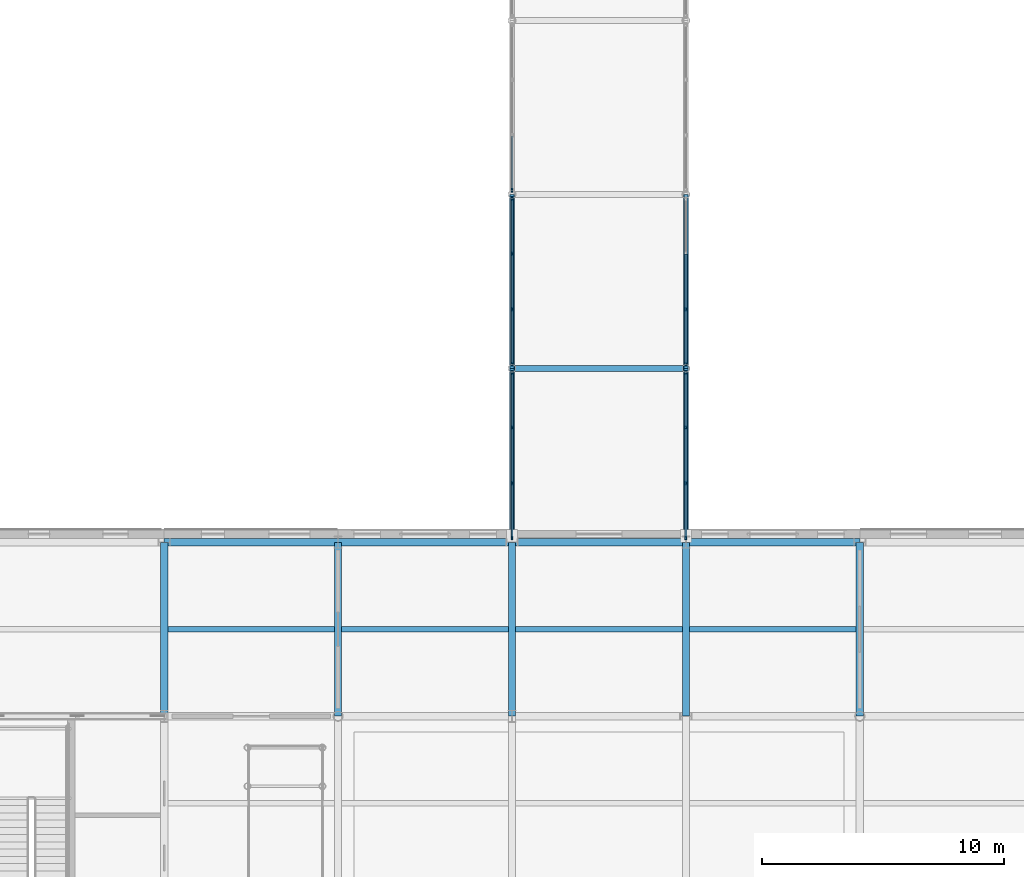
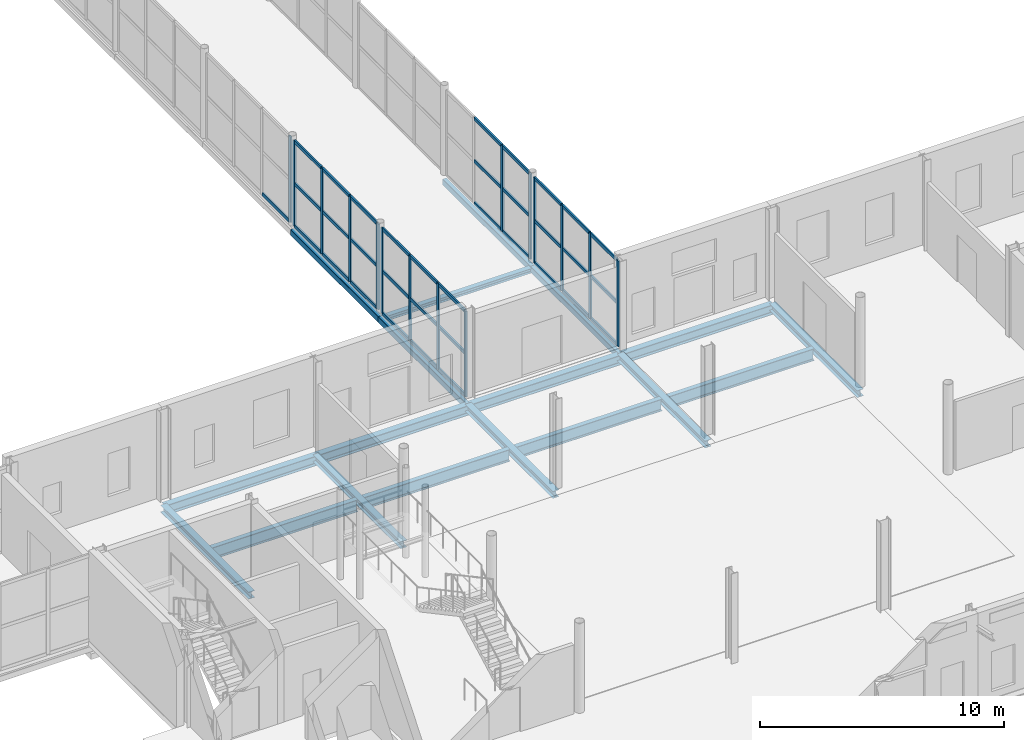
# One storey, part 28 of 92: 49 members, 18 beams, 5 elements without a shape of their own.
"""IFC4 building model written with IfcOpenShell, lengths in metres."""

from ifc_helpers import new_model, si_unit, direction, frame, origin, origin_2d, place, context, subcontext, project, spatial, rectangle, hollow_rectangle, i_section, extrude, material, material_profile, profile_set, type_object, element, aggregate, save


model = new_model("IFC4")

# Units and contexts
model_context = context("Model", 3, precision=1e-05, world=origin(), true_north=direction((0.0, 1.0)))
body_context = subcontext(model_context, "Body", "Model", "MODEL_VIEW")
ifc_project = project(units=[si_unit("LENGTHUNIT", "METRE"), si_unit("AREAUNIT", "SQUARE_METRE"), si_unit("VOLUMEUNIT", "CUBIC_METRE"), si_unit("PLANEANGLEUNIT", "RADIAN"), si_unit("MASSUNIT", "GRAM", prefix="KILO")], contexts=[model_context])

# Site, building, storey
site_placement = place(None, origin())
site = spatial("IfcSite", under=ifc_project, at=site_placement, CompositionType="ELEMENT")
building_placement = place(site_placement, origin())
building = spatial("IfcBuilding", under=site, at=building_placement, Name="Zlatovets Crest Museum", CompositionType="ELEMENT")
storey_placement = place(building_placement, origin())
storey = spatial("IfcBuildingStorey", under=building, at=storey_placement, Name="L00", CompositionType="ELEMENT", Elevation=0.0)

# Beams
ifc_material_1 = material(Name="Structural steel S355J2", Category="steel")
ifc_material_profile_1 = material_profile(ifc_material_1, i_section(OverallWidth=0.300048828125, OverallDepth=0.489990234375, WebThickness=0.011962890625, FlangeThickness=0.02294921875, FilletRadius=0.027099609375, at=origin_2d()), Name="HEA 500")
ifc_profile_set_1 = profile_set([ifc_material_profile_1], Name="Structural steel S355J2")
beam_type_1 = type_object("IfcBeamType", Name="Beam_B-01", PredefinedType="BEAM", material=ifc_profile_set_1)
for number, where, z_axis, x_axis, name in (
    (1, (64.800048828125, 28.800048828125, -0.4951171875), (1.0, 0.0, 0.0), (0.0, 1.0, 0.0), "V2 L00 Primary Girder B-01"),
    (2, (72.0, 28.800048828125, -0.4951171875), (1.0, 0.0, 0.0), (0.0, 1.0, 0.0), "V2 L00 Primary Girder B-01"),
    (3, (79.199951171875, 28.800048828125, -0.4951171875), (1.0, 0.0, 0.0), (0.0, 1.0, 0.0), "V2 L00 Primary Girder B-01"),
):
    element("IfcBeam", number, at=place(storey_placement, frame(where, z_axis=z_axis, x_axis=x_axis)), inside=storey, type_object=beam_type_1, Name=name, PredefinedType="BEAM", context=body_context, shape_type="SweptSolid", body=[
        extrude(i_section(OverallWidth=0.300048828125, OverallDepth=0.489990234375, WebThickness=0.011962890625, FlangeThickness=0.02294921875, FilletRadius=0.027099609375, at=origin_2d()), origin(), (0.0, 0.0, 1.0), 7.199951171875),
    ])
beam_1_placement = place(storey_placement, frame((86.39990234375, 28.800048828125, -0.4951171875), z_axis=(1.0, 0.0, 0.0), x_axis=(0.0, 1.0, 0.0)))
element("IfcBeam", 4, at=beam_1_placement, inside=storey, type_object=beam_type_1, Name="V2 L00 Primary Girder B-01", PredefinedType="BEAM", context=body_context, shape_type="SweptSolid", body=[
    extrude(i_section(OverallWidth=0.300048828125, OverallDepth=0.489990234375, WebThickness=0.011962890625, FlangeThickness=0.02294921875, FilletRadius=0.027099609375, at=origin_2d()), origin(), (0.0, 0.0, 1.0), 7.2001953125),
])
ifc_material_profile_2 = material_profile(ifc_material_1, i_section(OverallWidth=0.300048828125, OverallDepth=0.35009765625, WebThickness=0.010009765625, FlangeThickness=0.017578125, FilletRadius=0.027099609375, at=origin_2d()), Name="HEA 360")
ifc_profile_set_2 = profile_set([ifc_material_profile_2], Name="Structural steel S355J2")
beam_type_2 = type_object("IfcBeamType", Name="Beam_B-03", PredefinedType="BEAM", material=ifc_profile_set_2)
for number, where, z_axis, x_axis, name in (
    (5, (64.800048828125, 21.60009765625, -0.425048828125), (0.0, 1.0, 0.0), (-1.0, 0.0, 0.0), "V2 L00 Grid Beam B-03"),
    (6, (72.0, 21.60009765625, -0.425048828125), (0.0, 1.0, 0.0), (-1.0, 0.0, 0.0), "V2 L00 Grid Beam B-03"),
    (7, (79.199951171875, 21.60009765625, -0.425048828125), (0.0, 1.0, 0.0), (-1.0, 0.0, 0.0), "V2 L00 Grid Beam B-03"),
    (8, (86.39990234375, 21.60009765625, -0.425048828125), (0.0, 1.0, 0.0), (-1.0, 0.0, 0.0), "V2 L00 Grid Beam B-03"),
    (9, (93.60009765625, 21.60009765625, -0.425048828125), (0.0, 1.0, 0.0), (-1.0, 0.0, 0.0), "V2 L00 Grid Beam B-03"),
):
    element("IfcBeam", number, at=place(storey_placement, frame(where, z_axis=z_axis, x_axis=x_axis)), inside=storey, type_object=beam_type_2, Name=name, PredefinedType="BEAM", context=body_context, shape_type="SweptSolid", body=[
        extrude(i_section(OverallWidth=0.300048828125, OverallDepth=0.35009765625, WebThickness=0.010009765625, FlangeThickness=0.017578125, FilletRadius=0.027099609375, at=origin_2d()), origin(), (0.0, 0.0, 1.0), 7.199951171875),
    ])
ifc_material_profile_3 = material_profile(ifc_material_1, i_section(OverallWidth=0.239990234375, OverallDepth=0.22998046875, WebThickness=0.007568359375, FlangeThickness=0.011962890625, FilletRadius=0.02099609375, at=origin_2d()), Name="HEA 240")
ifc_profile_set_3 = profile_set([ifc_material_profile_3], Name="Structural steel S355J2")
beam_type_3 = type_object("IfcBeamType", Name="Beam_B-06", PredefinedType="BEAM", material=ifc_profile_set_3)
beam_2_placement = place(storey_placement, frame((79.199951171875, 36.0, -0.39990234375), z_axis=(1.0, 0.0, 0.0), x_axis=(0.0, 1.0, 0.0)))
element("IfcBeam", 10, at=beam_2_placement, inside=storey, type_object=beam_type_3, Name="Central Sculpture Court Cloister and Skywalk L00 Cross Beam", PredefinedType="BEAM", context=body_context, shape_type="SweptSolid", body=[
    extrude(i_section(OverallWidth=0.239990234375, OverallDepth=0.22998046875, WebThickness=0.007568359375, FlangeThickness=0.011962890625, FilletRadius=0.02099609375, at=origin_2d()), origin(), (0.0, 0.0, 1.0), 7.199951171875),
])
ifc_material_profile_4 = material_profile(ifc_material_1, hollow_rectangle(XDim=0.199951171875, YDim=0.300048828125, WallThickness=0.012451171875, InnerFilletRadius=0.012451171875, OuterFilletRadius=0.02490234375, at=origin_2d()), Name="RHS 200x300x12.5")
ifc_profile_set_4 = profile_set([ifc_material_profile_4], Name="Structural steel S355J2")
beam_type_4 = type_object("IfcBeamType", Name="Beam_BRG-01", PredefinedType="BEAM", material=ifc_profile_set_4)
for number, where, z_axis, x_axis, name in (
    (11, (79.199951171875, 28.800048828125, -0.39990234375), (0.0, 1.0, 0.0), (-1.0, 0.0, 0.0), "Central Sculpture Court Cloister and Skywalk L00 Stringer Beam"),
    (12, (79.199951171875, 36.0, -0.39990234375), (0.0, 1.0, 0.0), (-1.0, 0.0, 0.0), "Central Sculpture Court Cloister and Skywalk L00 Stringer Beam"),
    (13, (86.39990234375, 28.800048828125, -0.39990234375), (0.0, 1.0, 0.0), (-1.0, 0.0, 0.0), "Central Sculpture Court Cloister and Skywalk L00 Stringer Beam"),
    (14, (86.39990234375, 36.0, -0.39990234375), (0.0, 1.0, 0.0), (-1.0, 0.0, 0.0), "Central Sculpture Court Cloister and Skywalk L00 Stringer Beam"),
):
    element("IfcBeam", number, at=place(storey_placement, frame(where, z_axis=z_axis, x_axis=x_axis)), inside=storey, type_object=beam_type_4, Name=name, PredefinedType="BEAM", context=body_context, shape_type="SweptSolid", body=[
        extrude(hollow_rectangle(XDim=0.199951171875, YDim=0.300048828125, WallThickness=0.012451171875, InnerFilletRadius=0.012451171875, OuterFilletRadius=0.02490234375, at=origin_2d()), origin(), (0.0, 0.0, 1.0), 7.199951171875),
    ])
ifc_material_profile_5 = material_profile(ifc_material_1, i_section(OverallWidth=0.219970703125, OverallDepth=0.60009765625, WebThickness=0.011962890625, FlangeThickness=0.01904296875, FilletRadius=0.02392578125, at=origin_2d()), Name="IPE 600")
ifc_profile_set_5 = profile_set([ifc_material_profile_5], Name="Structural steel S355J2")
beam_type_5 = type_object("IfcBeamType", Name="Beam_J-08", PredefinedType="BEAM", material=ifc_profile_set_5)
for number, where, z_axis, x_axis, name in (
    (15, (64.949951171875, 25.199951171875, -0.550048828125), (1.0, 0.0, 0.0), (0.0, 1.0, 0.0), "V2 L00 Composite Joist J-08"),
    (16, (72.14990234375, 25.199951171875, -0.550048828125), (1.0, 0.0, 0.0), (0.0, 1.0, 0.0), "V2 L00 Composite Joist J-08"),
):
    element("IfcBeam", number, at=place(storey_placement, frame(where, z_axis=z_axis, x_axis=x_axis)), inside=storey, type_object=beam_type_5, Name=name, PredefinedType="BEAM", context=body_context, shape_type="SweptSolid", body=[
        extrude(i_section(OverallWidth=0.219970703125, OverallDepth=0.60009765625, WebThickness=0.011962890625, FlangeThickness=0.01904296875, FilletRadius=0.02392578125, at=origin_2d()), origin(), (0.0, 0.0, 1.0), 6.900146484375),
    ])
for number, where, z_axis, x_axis, name in (
    (17, (79.35009765625, 25.199951171875, -0.550048828125), (1.0, 0.0, 0.0), (0.0, 1.0, 0.0), "V2 L00 Composite Joist J-08"),
    (18, (86.550048828125, 25.199951171875, -0.550048828125), (1.0, 0.0, 0.0), (0.0, 1.0, 0.0), "V2 L00 Composite Joist J-08"),
):
    element("IfcBeam", number, at=place(storey_placement, frame(where, z_axis=z_axis, x_axis=x_axis)), inside=storey, type_object=beam_type_5, Name=name, PredefinedType="BEAM", context=body_context, shape_type="SweptSolid", body=[
        extrude(i_section(OverallWidth=0.219970703125, OverallDepth=0.60009765625, WebThickness=0.011962890625, FlangeThickness=0.01904296875, FilletRadius=0.02392578125, at=origin_2d()), origin(), (0.0, 0.0, 1.0), 6.89990234375),
    ])

# Curtain wall, members
ifc_material_2 = material(Name="Bronze-anodised aluminium and low-E triple glass", Category="aluminium")
curtain_wall_type = type_object("IfcCurtainWallType", Name="CW_CW-BR5-L00-S69", PredefinedType="NOTDEFINED", material=ifc_material_2)
curtain_wall_1_placement = place(storey_placement, origin())
curtain_wall_1 = element("IfcCurtainWall", 19, at=curtain_wall_1_placement, inside=storey, type_object=curtain_wall_type, Name="Central Sculpture Court Cloister and Skywalk L00 Glazed Bridge Curtain Wall", PredefinedType="NOTDEFINED")
ifc_material_3 = material(Name="Bronze-anodised aluminium EN AW-6060", Category="aluminium")
ifc_material_profile_6 = material_profile(ifc_material_3, rectangle(XDim=0.080078125, YDim=0.159912109375, at=origin_2d()), Name="ALU 80x160")
ifc_profile_set_6 = profile_set([ifc_material_profile_6], Name="Bronze-anodised aluminium EN AW-6060")
member_type_1 = type_object("IfcMemberType", Name="CWMull_M1", PredefinedType="MULLION", material=ifc_profile_set_6)
member_1_placement = place(storey_placement, frame((79.199951171875, 28.97998046875, 0.0), z_axis=(0.0, 0.0, 1.0), x_axis=(-1.0, 0.0, 0.0)))
member_1 = element("IfcMember", 20, at=member_1_placement, type_object=member_type_1, Name="CW-BR5-L00-S69 mullion 1", PredefinedType="MULLION", context=body_context, shape_type="SweptSolid", body=[
    extrude(rectangle(XDim=0.080078125, YDim=0.159912109375, at=origin_2d()), origin(), (0.0, 0.0, 1.0), 4.280029296875),
])
member_2_placement = place(storey_placement, frame((79.199951171875, 31.25, 0.0), z_axis=(0.0, 0.0, 1.0), x_axis=(-1.0, 0.0, 0.0)))
member_2 = element("IfcMember", 21, at=member_2_placement, type_object=member_type_1, Name="CW-BR5-L00-S69 mullion 2", PredefinedType="MULLION", context=body_context, shape_type="SweptSolid", body=[
    extrude(rectangle(XDim=0.080078125, YDim=0.159912109375, at=origin_2d()), origin(), (0.0, 0.0, 1.0), 4.280029296875),
])
member_3_placement = place(storey_placement, frame((79.199951171875, 33.550048828125, 0.0), z_axis=(0.0, 0.0, 1.0), x_axis=(-1.0, 0.0, 0.0)))
member_3 = element("IfcMember", 22, at=member_3_placement, type_object=member_type_1, Name="CW-BR5-L00-S69 mullion 3", PredefinedType="MULLION", context=body_context, shape_type="SweptSolid", body=[
    extrude(rectangle(XDim=0.080078125, YDim=0.159912109375, at=origin_2d()), origin(), (0.0, 0.0, 1.0), 4.280029296875),
])
member_4_placement = place(storey_placement, frame((79.199951171875, 35.820068359375, 0.0), z_axis=(0.0, 0.0, 1.0), x_axis=(-1.0, 0.0, 0.0)))
member_4 = element("IfcMember", 23, at=member_4_placement, type_object=member_type_1, Name="CW-BR5-L00-S69 mullion 4", PredefinedType="MULLION", context=body_context, shape_type="SweptSolid", body=[
    extrude(rectangle(XDim=0.080078125, YDim=0.159912109375, at=origin_2d()), origin(), (0.0, 0.0, 1.0), 4.280029296875),
])

curtain_wall_2_placement = place(storey_placement, origin())
curtain_wall_2 = element("IfcCurtainWall", 24, at=curtain_wall_2_placement, inside=storey, type_object=curtain_wall_type, Name="Central Sculpture Court Cloister and Skywalk L00 Glazed Bridge Curtain Wall", PredefinedType="NOTDEFINED")
member_5_placement = place(storey_placement, frame((79.199951171875, 36.179931640625, 0.0), z_axis=(0.0, 0.0, 1.0), x_axis=(-1.0, 0.0, 0.0)))
member_5 = element("IfcMember", 25, at=member_5_placement, type_object=member_type_1, Name="CW-BR5-L00-S69 mullion 1", PredefinedType="MULLION", context=body_context, shape_type="SweptSolid", body=[
    extrude(rectangle(XDim=0.080078125, YDim=0.159912109375, at=origin_2d()), origin(), (0.0, 0.0, 1.0), 4.280029296875),
])
member_6_placement = place(storey_placement, frame((79.199951171875, 38.449951171875, 0.0), z_axis=(0.0, 0.0, 1.0), x_axis=(-1.0, 0.0, 0.0)))
member_6 = element("IfcMember", 26, at=member_6_placement, type_object=member_type_1, Name="CW-BR5-L00-S69 mullion 2", PredefinedType="MULLION", context=body_context, shape_type="SweptSolid", body=[
    extrude(rectangle(XDim=0.080078125, YDim=0.159912109375, at=origin_2d()), origin(), (0.0, 0.0, 1.0), 4.280029296875),
])
member_7_placement = place(storey_placement, frame((79.199951171875, 40.75, 0.0), z_axis=(0.0, 0.0, 1.0), x_axis=(-1.0, 0.0, 0.0)))
member_7 = element("IfcMember", 27, at=member_7_placement, type_object=member_type_1, Name="CW-BR5-L00-S69 mullion 3", PredefinedType="MULLION", context=body_context, shape_type="SweptSolid", body=[
    extrude(rectangle(XDim=0.080078125, YDim=0.159912109375, at=origin_2d()), origin(), (0.0, 0.0, 1.0), 4.280029296875),
])
member_8_placement = place(storey_placement, frame((79.199951171875, 43.02001953125, 0.0), z_axis=(0.0, 0.0, 1.0), x_axis=(-1.0, 0.0, 0.0)))
member_8 = element("IfcMember", 28, at=member_8_placement, type_object=member_type_1, Name="CW-BR5-L00-S69 mullion 4", PredefinedType="MULLION", context=body_context, shape_type="SweptSolid", body=[
    extrude(rectangle(XDim=0.080078125, YDim=0.159912109375, at=origin_2d()), origin(), (0.0, 0.0, 1.0), 4.280029296875),
])

# Curtain wall, member
curtain_wall_3_placement = place(storey_placement, origin())
curtain_wall_3 = element("IfcCurtainWall", 29, at=curtain_wall_3_placement, inside=storey, type_object=curtain_wall_type, Name="Central Sculpture Court Cloister and Skywalk L00 Glazed Bridge Curtain Wall", PredefinedType="NOTDEFINED")
member_9_placement = place(storey_placement, frame((79.199951171875, 43.3798828125, 0.0), z_axis=(0.0, 0.0, 1.0), x_axis=(-1.0, 0.0, 0.0)))
member_9 = element("IfcMember", 30, at=member_9_placement, type_object=member_type_1, Name="CW-BR5-L00-S69 mullion 1", PredefinedType="MULLION", context=body_context, shape_type="SweptSolid", body=[
    extrude(rectangle(XDim=0.080078125, YDim=0.159912109375, at=origin_2d()), origin(), (0.0, 0.0, 1.0), 4.280029296875),
])

# Curtain wall, members
curtain_wall_4_placement = place(storey_placement, origin())
curtain_wall_4 = element("IfcCurtainWall", 31, at=curtain_wall_4_placement, inside=storey, type_object=curtain_wall_type, Name="Central Sculpture Court Cloister and Skywalk L00 Glazed Bridge Curtain Wall", PredefinedType="NOTDEFINED")
member_10_placement = place(storey_placement, frame((86.39990234375, 28.97998046875, 0.0), z_axis=(0.0, 0.0, 1.0), x_axis=(-1.0, 0.0, 0.0)))
member_10 = element("IfcMember", 32, at=member_10_placement, type_object=member_type_1, Name="CW-BR5-L00-S69 mullion 1", PredefinedType="MULLION", context=body_context, shape_type="SweptSolid", body=[
    extrude(rectangle(XDim=0.080078125, YDim=0.159912109375, at=origin_2d()), origin(), (0.0, 0.0, 1.0), 4.280029296875),
])
member_11_placement = place(storey_placement, frame((86.39990234375, 31.25, 0.0), z_axis=(0.0, 0.0, 1.0), x_axis=(-1.0, 0.0, 0.0)))
member_11 = element("IfcMember", 33, at=member_11_placement, type_object=member_type_1, Name="CW-BR5-L00-S69 mullion 2", PredefinedType="MULLION", context=body_context, shape_type="SweptSolid", body=[
    extrude(rectangle(XDim=0.080078125, YDim=0.159912109375, at=origin_2d()), origin(), (0.0, 0.0, 1.0), 4.280029296875),
])
member_12_placement = place(storey_placement, frame((86.39990234375, 33.550048828125, 0.0), z_axis=(0.0, 0.0, 1.0), x_axis=(-1.0, 0.0, 0.0)))
member_12 = element("IfcMember", 34, at=member_12_placement, type_object=member_type_1, Name="CW-BR5-L00-S69 mullion 3", PredefinedType="MULLION", context=body_context, shape_type="SweptSolid", body=[
    extrude(rectangle(XDim=0.080078125, YDim=0.159912109375, at=origin_2d()), origin(), (0.0, 0.0, 1.0), 4.280029296875),
])
member_13_placement = place(storey_placement, frame((86.39990234375, 35.820068359375, 0.0), z_axis=(0.0, 0.0, 1.0), x_axis=(-1.0, 0.0, 0.0)))
member_13 = element("IfcMember", 35, at=member_13_placement, type_object=member_type_1, Name="CW-BR5-L00-S69 mullion 4", PredefinedType="MULLION", context=body_context, shape_type="SweptSolid", body=[
    extrude(rectangle(XDim=0.080078125, YDim=0.159912109375, at=origin_2d()), origin(), (0.0, 0.0, 1.0), 4.280029296875),
])

curtain_wall_5_placement = place(storey_placement, origin())
curtain_wall_5 = element("IfcCurtainWall", 36, at=curtain_wall_5_placement, inside=storey, type_object=curtain_wall_type, Name="Central Sculpture Court Cloister and Skywalk L00 Glazed Bridge Curtain Wall", PredefinedType="NOTDEFINED")
member_14_placement = place(storey_placement, frame((86.39990234375, 36.179931640625, 0.0), z_axis=(0.0, 0.0, 1.0), x_axis=(-1.0, 0.0, 0.0)))
member_14 = element("IfcMember", 37, at=member_14_placement, type_object=member_type_1, Name="CW-BR5-L00-S69 mullion 1", PredefinedType="MULLION", context=body_context, shape_type="SweptSolid", body=[
    extrude(rectangle(XDim=0.080078125, YDim=0.159912109375, at=origin_2d()), origin(), (0.0, 0.0, 1.0), 4.280029296875),
])
member_15_placement = place(storey_placement, frame((86.39990234375, 38.449951171875, 0.0), z_axis=(0.0, 0.0, 1.0), x_axis=(-1.0, 0.0, 0.0)))
member_15 = element("IfcMember", 38, at=member_15_placement, type_object=member_type_1, Name="CW-BR5-L00-S69 mullion 2", PredefinedType="MULLION", context=body_context, shape_type="SweptSolid", body=[
    extrude(rectangle(XDim=0.080078125, YDim=0.159912109375, at=origin_2d()), origin(), (0.0, 0.0, 1.0), 4.280029296875),
])

# Member
ifc_material_profile_7 = material_profile(ifc_material_3, rectangle(XDim=0.080078125, YDim=0.159912109375, at=origin_2d()), Name="ALU 80x160")
ifc_profile_set_7 = profile_set([ifc_material_profile_7], Name="Bronze-anodised aluminium EN AW-6060")
member_type_2 = type_object("IfcMemberType", Name="CWTrans_T1", PredefinedType="USERDEFINED", material=ifc_profile_set_7)
member_16_placement = place(storey_placement, frame((79.199951171875, 29.010009765625, 0.030029296875), z_axis=(0.0, 1.0, 0.0), x_axis=(-1.0, 0.0, 0.0)))
member_16 = element("IfcMember", 39, at=member_16_placement, type_object=member_type_2, Name="CW-BR5-L00-S69 transom 1.1", ObjectType="TRANSOM", PredefinedType="USERDEFINED", context=body_context, shape_type="SweptSolid", body=[
    extrude(rectangle(XDim=0.080078125, YDim=0.159912109375, at=origin_2d()), origin(), (0.0, 0.0, 1.0), 2.2099609375),
])

member_17_placement = place(storey_placement, frame((79.199951171875, 29.010009765625, 2.139892578125), z_axis=(0.0, 1.0, 0.0), x_axis=(-1.0, 0.0, 0.0)))
member_17 = element("IfcMember", 40, at=member_17_placement, type_object=member_type_2, Name="CW-BR5-L00-S69 transom 1.2", ObjectType="TRANSOM", PredefinedType="USERDEFINED", context=body_context, shape_type="SweptSolid", body=[
    extrude(rectangle(XDim=0.080078125, YDim=0.159912109375, at=origin_2d()), origin(), (0.0, 0.0, 1.0), 2.2099609375),
])

member_18_placement = place(storey_placement, frame((79.199951171875, 29.010009765625, 4.25), z_axis=(0.0, 1.0, 0.0), x_axis=(-1.0, 0.0, 0.0)))
member_18 = element("IfcMember", 41, at=member_18_placement, type_object=member_type_2, Name="CW-BR5-L00-S69 transom 1.3", ObjectType="TRANSOM", PredefinedType="USERDEFINED", context=body_context, shape_type="SweptSolid", body=[
    extrude(rectangle(XDim=0.080078125, YDim=0.159912109375, at=origin_2d()), origin(), (0.0, 0.0, 1.0), 2.2099609375),
])

member_19_placement = place(storey_placement, frame((79.199951171875, 31.280029296875, 0.030029296875), z_axis=(0.0, 1.0, 0.0), x_axis=(-1.0, 0.0, 0.0)))
member_19 = element("IfcMember", 42, at=member_19_placement, type_object=member_type_2, Name="CW-BR5-L00-S69 transom 2.1", ObjectType="TRANSOM", PredefinedType="USERDEFINED", context=body_context, shape_type="SweptSolid", body=[
    extrude(rectangle(XDim=0.080078125, YDim=0.159912109375, at=origin_2d()), origin(), (0.0, 0.0, 1.0), 2.239990234375),
])

member_20_placement = place(storey_placement, frame((79.199951171875, 31.280029296875, 2.139892578125), z_axis=(0.0, 1.0, 0.0), x_axis=(-1.0, 0.0, 0.0)))
member_20 = element("IfcMember", 43, at=member_20_placement, type_object=member_type_2, Name="CW-BR5-L00-S69 transom 2.2", ObjectType="TRANSOM", PredefinedType="USERDEFINED", context=body_context, shape_type="SweptSolid", body=[
    extrude(rectangle(XDim=0.080078125, YDim=0.159912109375, at=origin_2d()), origin(), (0.0, 0.0, 1.0), 2.239990234375),
])

member_21_placement = place(storey_placement, frame((79.199951171875, 31.280029296875, 4.25), z_axis=(0.0, 1.0, 0.0), x_axis=(-1.0, 0.0, 0.0)))
member_21 = element("IfcMember", 44, at=member_21_placement, type_object=member_type_2, Name="CW-BR5-L00-S69 transom 2.3", ObjectType="TRANSOM", PredefinedType="USERDEFINED", context=body_context, shape_type="SweptSolid", body=[
    extrude(rectangle(XDim=0.080078125, YDim=0.159912109375, at=origin_2d()), origin(), (0.0, 0.0, 1.0), 2.239990234375),
])

member_22_placement = place(storey_placement, frame((79.199951171875, 33.580078125, 0.030029296875), z_axis=(0.0, 1.0, 0.0), x_axis=(-1.0, 0.0, 0.0)))
member_22 = element("IfcMember", 45, at=member_22_placement, type_object=member_type_2, Name="CW-BR5-L00-S69 transom 3.1", ObjectType="TRANSOM", PredefinedType="USERDEFINED", context=body_context, shape_type="SweptSolid", body=[
    extrude(rectangle(XDim=0.080078125, YDim=0.159912109375, at=origin_2d()), origin(), (0.0, 0.0, 1.0), 2.2099609375),
])

member_23_placement = place(storey_placement, frame((79.199951171875, 33.580078125, 2.139892578125), z_axis=(0.0, 1.0, 0.0), x_axis=(-1.0, 0.0, 0.0)))
member_23 = element("IfcMember", 46, at=member_23_placement, type_object=member_type_2, Name="CW-BR5-L00-S69 transom 3.2", ObjectType="TRANSOM", PredefinedType="USERDEFINED", context=body_context, shape_type="SweptSolid", body=[
    extrude(rectangle(XDim=0.080078125, YDim=0.159912109375, at=origin_2d()), origin(), (0.0, 0.0, 1.0), 2.2099609375),
])

member_24_placement = place(storey_placement, frame((79.199951171875, 33.580078125, 4.25), z_axis=(0.0, 1.0, 0.0), x_axis=(-1.0, 0.0, 0.0)))
member_24 = element("IfcMember", 47, at=member_24_placement, type_object=member_type_2, Name="CW-BR5-L00-S69 transom 3.3", ObjectType="TRANSOM", PredefinedType="USERDEFINED", context=body_context, shape_type="SweptSolid", body=[
    extrude(rectangle(XDim=0.080078125, YDim=0.159912109375, at=origin_2d()), origin(), (0.0, 0.0, 1.0), 2.2099609375),
])

aggregate(curtain_wall_1, [member_1, member_2, member_3, member_4, member_16, member_17, member_18, member_19, member_20, member_21, member_22, member_23, member_24])

member_25_placement = place(storey_placement, frame((79.199951171875, 36.2099609375, 0.030029296875), z_axis=(0.0, 1.0, 0.0), x_axis=(-1.0, 0.0, 0.0)))
member_25 = element("IfcMember", 48, at=member_25_placement, type_object=member_type_2, Name="CW-BR5-L00-S69 transom 1.1", ObjectType="TRANSOM", PredefinedType="USERDEFINED", context=body_context, shape_type="SweptSolid", body=[
    extrude(rectangle(XDim=0.080078125, YDim=0.159912109375, at=origin_2d()), origin(), (0.0, 0.0, 1.0), 2.2099609375),
])

member_26_placement = place(storey_placement, frame((79.199951171875, 36.2099609375, 2.139892578125), z_axis=(0.0, 1.0, 0.0), x_axis=(-1.0, 0.0, 0.0)))
member_26 = element("IfcMember", 49, at=member_26_placement, type_object=member_type_2, Name="CW-BR5-L00-S69 transom 1.2", ObjectType="TRANSOM", PredefinedType="USERDEFINED", context=body_context, shape_type="SweptSolid", body=[
    extrude(rectangle(XDim=0.080078125, YDim=0.159912109375, at=origin_2d()), origin(), (0.0, 0.0, 1.0), 2.2099609375),
])

member_27_placement = place(storey_placement, frame((79.199951171875, 36.2099609375, 4.25), z_axis=(0.0, 1.0, 0.0), x_axis=(-1.0, 0.0, 0.0)))
member_27 = element("IfcMember", 50, at=member_27_placement, type_object=member_type_2, Name="CW-BR5-L00-S69 transom 1.3", ObjectType="TRANSOM", PredefinedType="USERDEFINED", context=body_context, shape_type="SweptSolid", body=[
    extrude(rectangle(XDim=0.080078125, YDim=0.159912109375, at=origin_2d()), origin(), (0.0, 0.0, 1.0), 2.2099609375),
])

member_28_placement = place(storey_placement, frame((79.199951171875, 38.47998046875, 0.030029296875), z_axis=(0.0, 1.0, 0.0), x_axis=(-1.0, 0.0, 0.0)))
member_28 = element("IfcMember", 51, at=member_28_placement, type_object=member_type_2, Name="CW-BR5-L00-S69 transom 2.1", ObjectType="TRANSOM", PredefinedType="USERDEFINED", context=body_context, shape_type="SweptSolid", body=[
    extrude(rectangle(XDim=0.080078125, YDim=0.159912109375, at=origin_2d()), origin(), (0.0, 0.0, 1.0), 2.239990234375),
])

member_29_placement = place(storey_placement, frame((79.199951171875, 38.47998046875, 2.139892578125), z_axis=(0.0, 1.0, 0.0), x_axis=(-1.0, 0.0, 0.0)))
member_29 = element("IfcMember", 52, at=member_29_placement, type_object=member_type_2, Name="CW-BR5-L00-S69 transom 2.2", ObjectType="TRANSOM", PredefinedType="USERDEFINED", context=body_context, shape_type="SweptSolid", body=[
    extrude(rectangle(XDim=0.080078125, YDim=0.159912109375, at=origin_2d()), origin(), (0.0, 0.0, 1.0), 2.239990234375),
])

member_30_placement = place(storey_placement, frame((79.199951171875, 38.47998046875, 4.25), z_axis=(0.0, 1.0, 0.0), x_axis=(-1.0, 0.0, 0.0)))
member_30 = element("IfcMember", 53, at=member_30_placement, type_object=member_type_2, Name="CW-BR5-L00-S69 transom 2.3", ObjectType="TRANSOM", PredefinedType="USERDEFINED", context=body_context, shape_type="SweptSolid", body=[
    extrude(rectangle(XDim=0.080078125, YDim=0.159912109375, at=origin_2d()), origin(), (0.0, 0.0, 1.0), 2.239990234375),
])

member_31_placement = place(storey_placement, frame((79.199951171875, 40.780029296875, 0.030029296875), z_axis=(0.0, 1.0, 0.0), x_axis=(-1.0, 0.0, 0.0)))
member_31 = element("IfcMember", 54, at=member_31_placement, type_object=member_type_2, Name="CW-BR5-L00-S69 transom 3.1", ObjectType="TRANSOM", PredefinedType="USERDEFINED", context=body_context, shape_type="SweptSolid", body=[
    extrude(rectangle(XDim=0.080078125, YDim=0.159912109375, at=origin_2d()), origin(), (0.0, 0.0, 1.0), 2.2099609375),
])

member_32_placement = place(storey_placement, frame((79.199951171875, 40.780029296875, 2.139892578125), z_axis=(0.0, 1.0, 0.0), x_axis=(-1.0, 0.0, 0.0)))
member_32 = element("IfcMember", 55, at=member_32_placement, type_object=member_type_2, Name="CW-BR5-L00-S69 transom 3.2", ObjectType="TRANSOM", PredefinedType="USERDEFINED", context=body_context, shape_type="SweptSolid", body=[
    extrude(rectangle(XDim=0.080078125, YDim=0.159912109375, at=origin_2d()), origin(), (0.0, 0.0, 1.0), 2.2099609375),
])

member_33_placement = place(storey_placement, frame((79.199951171875, 40.780029296875, 4.25), z_axis=(0.0, 1.0, 0.0), x_axis=(-1.0, 0.0, 0.0)))
member_33 = element("IfcMember", 56, at=member_33_placement, type_object=member_type_2, Name="CW-BR5-L00-S69 transom 3.3", ObjectType="TRANSOM", PredefinedType="USERDEFINED", context=body_context, shape_type="SweptSolid", body=[
    extrude(rectangle(XDim=0.080078125, YDim=0.159912109375, at=origin_2d()), origin(), (0.0, 0.0, 1.0), 2.2099609375),
])

aggregate(curtain_wall_2, [member_5, member_6, member_7, member_8, member_25, member_26, member_27, member_28, member_29, member_30, member_31, member_32, member_33])

member_34_placement = place(storey_placement, frame((79.199951171875, 43.409912109375, 0.030029296875), z_axis=(0.0, 1.0, 0.0), x_axis=(-1.0, 0.0, 0.0)))
member_34 = element("IfcMember", 57, at=member_34_placement, type_object=member_type_2, Name="CW-BR5-L00-S69 transom 1.1", ObjectType="TRANSOM", PredefinedType="USERDEFINED", context=body_context, shape_type="SweptSolid", body=[
    extrude(rectangle(XDim=0.080078125, YDim=0.159912109375, at=origin_2d()), origin(), (0.0, 0.0, 1.0), 2.210205078125),
])

aggregate(curtain_wall_3, [member_9, member_34])

member_35_placement = place(storey_placement, frame((86.39990234375, 29.010009765625, 0.030029296875), z_axis=(0.0, 1.0, 0.0), x_axis=(-1.0, 0.0, 0.0)))
member_35 = element("IfcMember", 58, at=member_35_placement, type_object=member_type_2, Name="CW-BR5-L00-S69 transom 1.1", ObjectType="TRANSOM", PredefinedType="USERDEFINED", context=body_context, shape_type="SweptSolid", body=[
    extrude(rectangle(XDim=0.080078125, YDim=0.159912109375, at=origin_2d()), origin(), (0.0, 0.0, 1.0), 2.2099609375),
])

member_36_placement = place(storey_placement, frame((86.39990234375, 29.010009765625, 2.139892578125), z_axis=(0.0, 1.0, 0.0), x_axis=(-1.0, 0.0, 0.0)))
member_36 = element("IfcMember", 59, at=member_36_placement, type_object=member_type_2, Name="CW-BR5-L00-S69 transom 1.2", ObjectType="TRANSOM", PredefinedType="USERDEFINED", context=body_context, shape_type="SweptSolid", body=[
    extrude(rectangle(XDim=0.080078125, YDim=0.159912109375, at=origin_2d()), origin(), (0.0, 0.0, 1.0), 2.2099609375),
])

member_37_placement = place(storey_placement, frame((86.39990234375, 29.010009765625, 4.25), z_axis=(0.0, 1.0, 0.0), x_axis=(-1.0, 0.0, 0.0)))
member_37 = element("IfcMember", 60, at=member_37_placement, type_object=member_type_2, Name="CW-BR5-L00-S69 transom 1.3", ObjectType="TRANSOM", PredefinedType="USERDEFINED", context=body_context, shape_type="SweptSolid", body=[
    extrude(rectangle(XDim=0.080078125, YDim=0.159912109375, at=origin_2d()), origin(), (0.0, 0.0, 1.0), 2.2099609375),
])

member_38_placement = place(storey_placement, frame((86.39990234375, 31.280029296875, 0.030029296875), z_axis=(0.0, 1.0, 0.0), x_axis=(-1.0, 0.0, 0.0)))
member_38 = element("IfcMember", 61, at=member_38_placement, type_object=member_type_2, Name="CW-BR5-L00-S69 transom 2.1", ObjectType="TRANSOM", PredefinedType="USERDEFINED", context=body_context, shape_type="SweptSolid", body=[
    extrude(rectangle(XDim=0.080078125, YDim=0.159912109375, at=origin_2d()), origin(), (0.0, 0.0, 1.0), 2.239990234375),
])

member_39_placement = place(storey_placement, frame((86.39990234375, 31.280029296875, 2.139892578125), z_axis=(0.0, 1.0, 0.0), x_axis=(-1.0, 0.0, 0.0)))
member_39 = element("IfcMember", 62, at=member_39_placement, type_object=member_type_2, Name="CW-BR5-L00-S69 transom 2.2", ObjectType="TRANSOM", PredefinedType="USERDEFINED", context=body_context, shape_type="SweptSolid", body=[
    extrude(rectangle(XDim=0.080078125, YDim=0.159912109375, at=origin_2d()), origin(), (0.0, 0.0, 1.0), 2.239990234375),
])

member_40_placement = place(storey_placement, frame((86.39990234375, 31.280029296875, 4.25), z_axis=(0.0, 1.0, 0.0), x_axis=(-1.0, 0.0, 0.0)))
member_40 = element("IfcMember", 63, at=member_40_placement, type_object=member_type_2, Name="CW-BR5-L00-S69 transom 2.3", ObjectType="TRANSOM", PredefinedType="USERDEFINED", context=body_context, shape_type="SweptSolid", body=[
    extrude(rectangle(XDim=0.080078125, YDim=0.159912109375, at=origin_2d()), origin(), (0.0, 0.0, 1.0), 2.239990234375),
])

member_41_placement = place(storey_placement, frame((86.39990234375, 33.580078125, 0.030029296875), z_axis=(0.0, 1.0, 0.0), x_axis=(-1.0, 0.0, 0.0)))
member_41 = element("IfcMember", 64, at=member_41_placement, type_object=member_type_2, Name="CW-BR5-L00-S69 transom 3.1", ObjectType="TRANSOM", PredefinedType="USERDEFINED", context=body_context, shape_type="SweptSolid", body=[
    extrude(rectangle(XDim=0.080078125, YDim=0.159912109375, at=origin_2d()), origin(), (0.0, 0.0, 1.0), 2.2099609375),
])

member_42_placement = place(storey_placement, frame((86.39990234375, 33.580078125, 2.139892578125), z_axis=(0.0, 1.0, 0.0), x_axis=(-1.0, 0.0, 0.0)))
member_42 = element("IfcMember", 65, at=member_42_placement, type_object=member_type_2, Name="CW-BR5-L00-S69 transom 3.2", ObjectType="TRANSOM", PredefinedType="USERDEFINED", context=body_context, shape_type="SweptSolid", body=[
    extrude(rectangle(XDim=0.080078125, YDim=0.159912109375, at=origin_2d()), origin(), (0.0, 0.0, 1.0), 2.2099609375),
])

member_43_placement = place(storey_placement, frame((86.39990234375, 33.580078125, 4.25), z_axis=(0.0, 1.0, 0.0), x_axis=(-1.0, 0.0, 0.0)))
member_43 = element("IfcMember", 66, at=member_43_placement, type_object=member_type_2, Name="CW-BR5-L00-S69 transom 3.3", ObjectType="TRANSOM", PredefinedType="USERDEFINED", context=body_context, shape_type="SweptSolid", body=[
    extrude(rectangle(XDim=0.080078125, YDim=0.159912109375, at=origin_2d()), origin(), (0.0, 0.0, 1.0), 2.2099609375),
])

aggregate(curtain_wall_4, [member_10, member_11, member_12, member_13, member_35, member_36, member_37, member_38, member_39, member_40, member_41, member_42, member_43])

member_44_placement = place(storey_placement, frame((86.39990234375, 36.2099609375, 0.030029296875), z_axis=(0.0, 1.0, 0.0), x_axis=(-1.0, 0.0, 0.0)))
member_44 = element("IfcMember", 67, at=member_44_placement, type_object=member_type_2, Name="CW-BR5-L00-S69 transom 1.1", ObjectType="TRANSOM", PredefinedType="USERDEFINED", context=body_context, shape_type="SweptSolid", body=[
    extrude(rectangle(XDim=0.080078125, YDim=0.159912109375, at=origin_2d()), origin(), (0.0, 0.0, 1.0), 2.2099609375),
])

member_45_placement = place(storey_placement, frame((86.39990234375, 36.2099609375, 2.139892578125), z_axis=(0.0, 1.0, 0.0), x_axis=(-1.0, 0.0, 0.0)))
member_45 = element("IfcMember", 68, at=member_45_placement, type_object=member_type_2, Name="CW-BR5-L00-S69 transom 1.2", ObjectType="TRANSOM", PredefinedType="USERDEFINED", context=body_context, shape_type="SweptSolid", body=[
    extrude(rectangle(XDim=0.080078125, YDim=0.159912109375, at=origin_2d()), origin(), (0.0, 0.0, 1.0), 2.2099609375),
])

member_46_placement = place(storey_placement, frame((86.39990234375, 36.2099609375, 4.25), z_axis=(0.0, 1.0, 0.0), x_axis=(-1.0, 0.0, 0.0)))
member_46 = element("IfcMember", 69, at=member_46_placement, type_object=member_type_2, Name="CW-BR5-L00-S69 transom 1.3", ObjectType="TRANSOM", PredefinedType="USERDEFINED", context=body_context, shape_type="SweptSolid", body=[
    extrude(rectangle(XDim=0.080078125, YDim=0.159912109375, at=origin_2d()), origin(), (0.0, 0.0, 1.0), 2.2099609375),
])

member_47_placement = place(storey_placement, frame((86.39990234375, 38.47998046875, 0.030029296875), z_axis=(0.0, 1.0, 0.0), x_axis=(-1.0, 0.0, 0.0)))
member_47 = element("IfcMember", 70, at=member_47_placement, type_object=member_type_2, Name="CW-BR5-L00-S69 transom 2.1", ObjectType="TRANSOM", PredefinedType="USERDEFINED", context=body_context, shape_type="SweptSolid", body=[
    extrude(rectangle(XDim=0.080078125, YDim=0.159912109375, at=origin_2d()), origin(), (0.0, 0.0, 1.0), 2.239990234375),
])

member_48_placement = place(storey_placement, frame((86.39990234375, 38.47998046875, 2.139892578125), z_axis=(0.0, 1.0, 0.0), x_axis=(-1.0, 0.0, 0.0)))
member_48 = element("IfcMember", 71, at=member_48_placement, type_object=member_type_2, Name="CW-BR5-L00-S69 transom 2.2", ObjectType="TRANSOM", PredefinedType="USERDEFINED", context=body_context, shape_type="SweptSolid", body=[
    extrude(rectangle(XDim=0.080078125, YDim=0.159912109375, at=origin_2d()), origin(), (0.0, 0.0, 1.0), 2.239990234375),
])

member_49_placement = place(storey_placement, frame((86.39990234375, 38.47998046875, 4.25), z_axis=(0.0, 1.0, 0.0), x_axis=(-1.0, 0.0, 0.0)))
member_49 = element("IfcMember", 72, at=member_49_placement, type_object=member_type_2, Name="CW-BR5-L00-S69 transom 2.3", ObjectType="TRANSOM", PredefinedType="USERDEFINED", context=body_context, shape_type="SweptSolid", body=[
    extrude(rectangle(XDim=0.080078125, YDim=0.159912109375, at=origin_2d()), origin(), (0.0, 0.0, 1.0), 2.239990234375),
])

aggregate(curtain_wall_5, [member_14, member_15, member_44, member_45, member_46, member_47, member_48, member_49])

save(model, "model.ifc")
